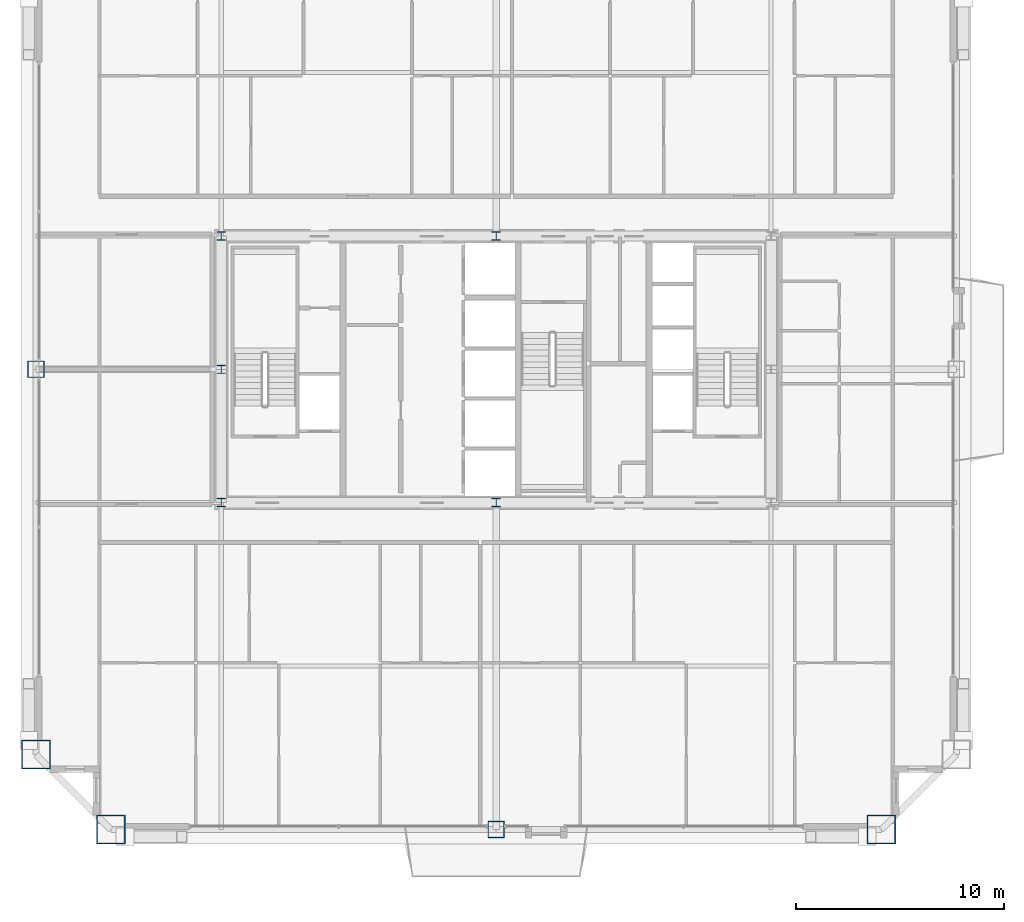
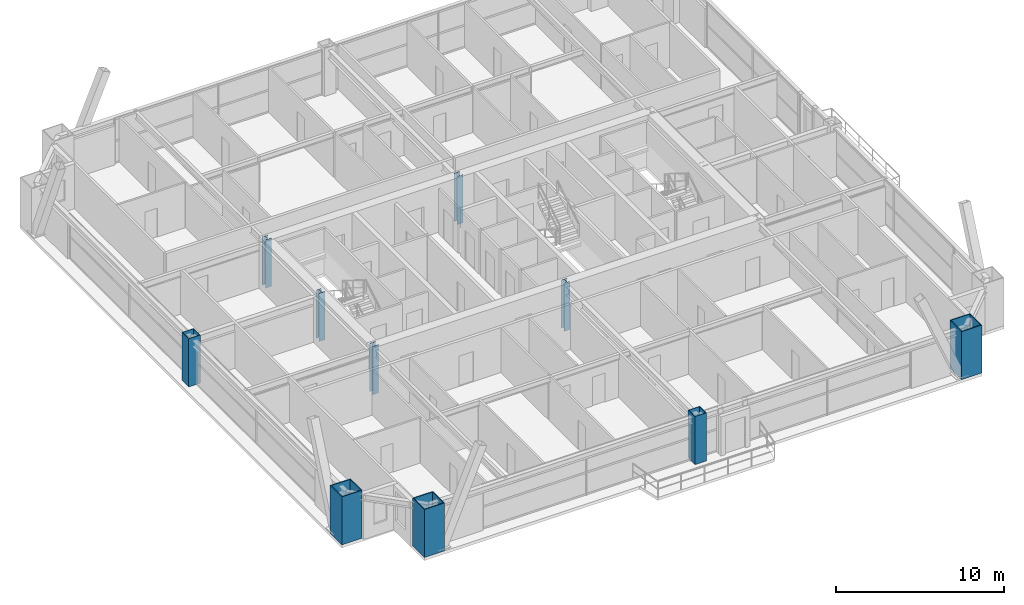
# One storey, part 1 of 45: 10 columns.
"""IFC4 building model written with IfcOpenShell, lengths in metres."""

from ifc_helpers import new_model, si_unit, direction, frame, origin, origin_2d, place, context, subcontext, project, spatial, hollow_rectangle, i_section, extrude, source, transform, mapped, material, material_profile, profile_set, type_object, element, save


model = new_model("IFC4")

# Units and contexts
model_context = context("Model", 3, precision=1e-05, world=origin(), true_north=direction((0.0, 1.0)))
body_context = subcontext(model_context, "Body", "Model", "MODEL_VIEW")
ifc_project = project(units=[si_unit("LENGTHUNIT", "METRE"), si_unit("AREAUNIT", "SQUARE_METRE"), si_unit("VOLUMEUNIT", "CUBIC_METRE"), si_unit("PLANEANGLEUNIT", "RADIAN"), si_unit("MASSUNIT", "GRAM", prefix="KILO"), si_unit("THERMODYNAMICTEMPERATUREUNIT", "KELVIN"), si_unit("POWERUNIT", "WATT")], contexts=[model_context])

# Site, building, storey
site_placement = place(None, origin())
site = spatial("IfcSite", under=ifc_project, at=site_placement, CompositionType="ELEMENT")
building_placement = place(site_placement, origin())
building = spatial("IfcBuilding", under=site, at=building_placement, Name="Yuzanri Waterfront Tower", CompositionType="ELEMENT")
storey_placement = place(building_placement, frame((0.0, 0.0, 191.5)))
storey = spatial("IfcBuildingStorey", under=building, at=storey_placement, Name="L50", CompositionType="ELEMENT", Elevation=191.5)

# Columns
ifc_material_1 = material(Name="Steel Q355B", Category="steel")
ifc_material_profile_1 = material_profile(ifc_material_1, i_section(OverallWidth=0.39990234375, OverallDepth=0.39990234375, WebThickness=0.012939453125, FlangeThickness=0.02099609375, at=origin_2d()), Name="HW 400x400x13x21")
ifc_profile_set_1 = profile_set([ifc_material_profile_1], Name="Steel Q355B")
column_type_1 = type_object("IfcColumnType", Name="Core Post Q355B HW 400x400x13x21", PredefinedType="COLUMN", material=ifc_profile_set_1)
shared_shape_1 = source(origin(), body_context, "Body", "SweptSolid", [
    extrude(i_section(OverallWidth=0.39990234375, OverallDepth=0.39990234375, WebThickness=0.012939453125, FlangeThickness=0.02099609375, at=origin_2d()), origin(), (0.0, 0.0, 1.0), 3.5),
])
for number, where, z_axis, x_axis, name in (
    (1, (23.800048828125, 19.39990234375, 0.0), (0.0, 0.0, 1.0), (1.0, 0.0, 0.0), "L50 Core Boundary Column CP1"),
    (2, (37.0, 19.39990234375, 0.0), (0.0, 0.0, 1.0), (1.0, 0.0, 0.0), "L50 Core Boundary Column CP2"),
    (3, (23.800048828125, 25.800048828125, 0.0), (0.0, 0.0, 1.0), (1.0, 0.0, 0.0), "L50 Core Boundary Column CP4"),
    (4, (23.800048828125, 32.199951171875, 0.0), (0.0, 0.0, 1.0), (1.0, 0.0, 0.0), "L50 Core Boundary Column CP6"),
    (5, (37.0, 32.199951171875, 0.0), (0.0, 0.0, 1.0), (1.0, 0.0, 0.0), "L50 Core Boundary Column CP7"),
):
    element("IfcColumn", number, at=place(storey_placement, frame(where, z_axis=z_axis, x_axis=x_axis)), inside=storey, type_object=column_type_1, Name=name, PredefinedType="COLUMN", context=body_context, shape_type="MappedRepresentation", body=[
        mapped(shared_shape_1, transform((0.0, 0.0, 0.0), scale=1.0)),
    ])
ifc_material_2 = material(Name="Steel Q420GJC", Category="steel")
ifc_material_profile_2 = material_profile(ifc_material_2, hollow_rectangle(XDim=1.39990234375, YDim=1.39990234375, WallThickness=0.06005859375, at=origin_2d()), Name="RHS 1400x1400x60")
ifc_profile_set_2 = profile_set([ifc_material_profile_2], Name="Steel Q420GJC")
column_type_2 = type_object("IfcColumnType", Name="Mega Column Q420GJC RHS 1400x1400x60", PredefinedType="COLUMN", material=ifc_profile_set_2)
shared_shape_2 = source(origin(), body_context, "Body", "SweptSolid", [
    extrude(hollow_rectangle(XDim=1.39990234375, YDim=1.39990234375, WallThickness=0.06005859375, at=origin_2d()), origin(), (0.0, 0.0, 1.0), 3.5),
])
for number, where, z_axis, x_axis, name in (
    (6, (18.5, 3.699951171875, 0.0), (0.0, 0.0, 1.0), (1.0, 0.0, 0.0), "L50 Perimeter Mega Column S1"),
    (7, (55.5, 3.699951171875, 0.0), (0.0, 0.0, 1.0), (1.0, 0.0, 0.0), "L50 Perimeter Mega Column S3"),
    (8, (14.89990234375, 7.300048828125, 0.0), (0.0, 0.0, 1.0), (1.0, 0.0, 0.0), "L50 Perimeter Mega Column W1"),
):
    element("IfcColumn", number, at=place(storey_placement, frame(where, z_axis=z_axis, x_axis=x_axis)), inside=storey, type_object=column_type_2, Name=name, PredefinedType="COLUMN", context=body_context, shape_type="MappedRepresentation", body=[
        mapped(shared_shape_2, transform((0.0, 0.0, 0.0), scale=1.0)),
    ])
ifc_material_3 = material(Name="Steel Q390GJC", Category="steel")
ifc_material_profile_3 = material_profile(ifc_material_3, hollow_rectangle(XDim=0.800048828125, YDim=0.800048828125, WallThickness=0.035888671875, at=origin_2d()), Name="RHS 800x800x36")
ifc_profile_set_3 = profile_set([ifc_material_profile_3], Name="Steel Q390GJC")
column_type_3 = type_object("IfcColumnType", Name="Frame Column Q390GJC RHS 800x800x36", PredefinedType="COLUMN", material=ifc_profile_set_3)
shared_shape_3 = source(origin(), body_context, "Body", "SweptSolid", [
    extrude(hollow_rectangle(XDim=0.800048828125, YDim=0.800048828125, WallThickness=0.035888671875, at=origin_2d()), origin(), (0.0, 0.0, 1.0), 3.5),
])
for number, where, z_axis, x_axis, name in (
    (9, (37.0, 3.699951171875, 0.0), (0.0, 0.0, 1.0), (1.0, 0.0, 0.0), "L50 Perimeter Frame Column S2"),
    (10, (14.89990234375, 25.800048828125, 0.0), (0.0, 0.0, 1.0), (1.0, 0.0, 0.0), "L50 Perimeter Frame Column W2"),
):
    element("IfcColumn", number, at=place(storey_placement, frame(where, z_axis=z_axis, x_axis=x_axis)), inside=storey, type_object=column_type_3, Name=name, PredefinedType="COLUMN", context=body_context, shape_type="MappedRepresentation", body=[
        mapped(shared_shape_3, transform((0.0, 0.0, 0.0), scale=1.0)),
    ])

save(model, "model.ifc")
